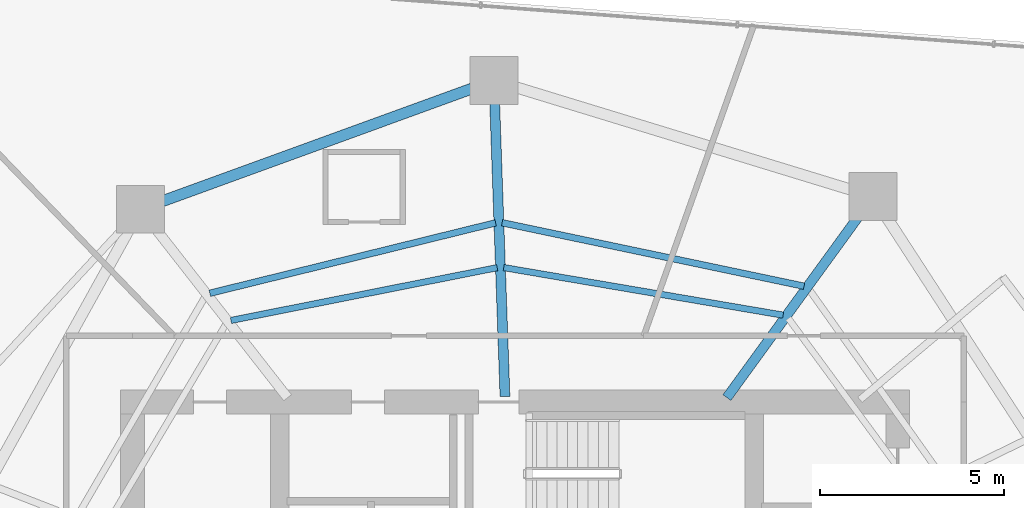
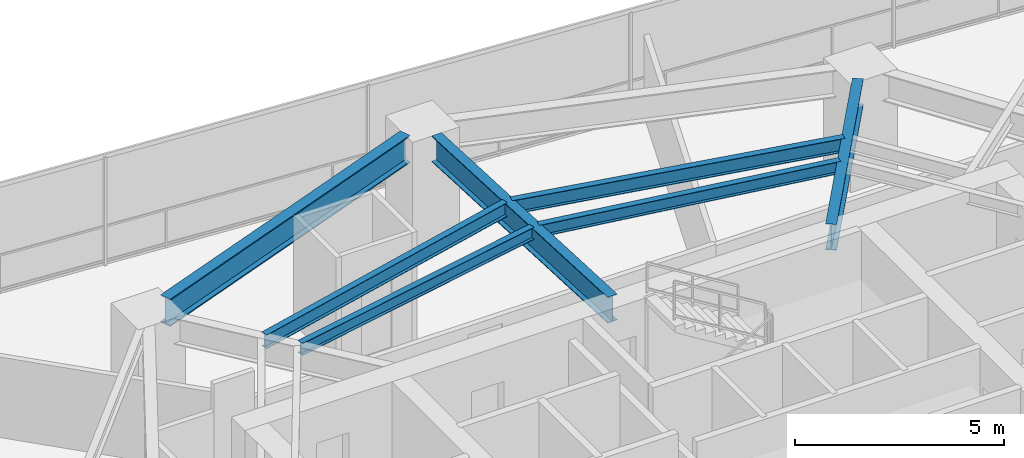
# One storey, part 19 of 30: 7 beams.
"""IFC4 building model written with IfcOpenShell, lengths in metres."""

import ifcopenshell
import ifcopenshell.guid

model = None  # the IFC model being written
_history = None  # IfcOwnerHistory: only IFC2X3 demands one
_inside = {}  # id of a spatial element -> (the spatial element, [elements in it])
_under = {}  # id of a project, library or spatial element -> (it, [spatial elements below it])
_declared = {}  # id of a project -> (the project, [libraries it declares])
_typed = {}  # id of a type object -> (the type object, [elements of that type])
_made_of = {}  # id of a material, layer set ... -> (it, [elements and type objects made of it])


def new_model(schema):
    """Start an empty IFC model of exactly this schema.

    Asked for "IFC4X3", IfcOpenShell would pick the latest addendum, in which some entities
    have other attributes; the version numbers below select the first issue.
    IFC2X3 requires an IfcOwnerHistory on every rooted entity: one is made here for all.
    """
    global model, _history
    if schema == "IFC4X3":
        model = ifcopenshell.file(schema_version=(4, 3, 0, 0))
    else:
        model = ifcopenshell.file(schema=schema)
    _inside.clear()
    _under.clear()
    _declared.clear()
    _typed.clear()
    _made_of.clear()
    _history = None
    if model.schema == "IFC2X3":
        org = make("IfcOrganization", Name="unknown")
        user = make(
            "IfcPersonAndOrganization",
            ThePerson=make("IfcPerson", FamilyName="unknown"),
            TheOrganization=org,
        )
        app = make(
            "IfcApplication",
            ApplicationDeveloper=org,
            Version="unknown",
            ApplicationFullName="unknown",
            ApplicationIdentifier="unknown",
        )
        _history = make(
            "IfcOwnerHistory",
            OwningUser=user,
            OwningApplication=app,
            ChangeAction="ADDED",
            CreationDate=0,
        )
    return model


def make(cls, **values):
    """One entity of the class cls with the attributes given. An attribute that is None is left unset."""
    return model.create_entity(
        cls, **{name: value for name, value in values.items() if value is not None}
    )


def rooted(cls, **values):
    """An entity with a GlobalId (a new one), such as an element, a storey or a relation."""
    return make(cls, GlobalId=ifcopenshell.guid.new(), OwnerHistory=_history, **values)


def si_unit(unit_type, name, prefix=None):
    """IfcSIUnit, for example si_unit("LENGTHUNIT", "METRE", prefix="MILLI")."""
    return make("IfcSIUnit", UnitType=unit_type, Prefix=prefix, Name=name)


def assignment(units):
    """IfcUnitAssignment: the units of a project."""
    return None if units is None else make("IfcUnitAssignment", Units=units)


def point(xyz):
    """IfcCartesianPoint."""
    return None if xyz is None else make("IfcCartesianPoint", Coordinates=xyz)


def direction(xyz):
    """IfcDirection."""
    return None if xyz is None else make("IfcDirection", DirectionRatios=xyz)


def frame(location, z_axis=None, x_axis=None):
    """IfcAxis2Placement3D, a coordinate frame: its origin and axes. An axis left out is left unset."""
    return make(
        "IfcAxis2Placement3D",
        Location=point(location),
        Axis=direction(z_axis),
        RefDirection=direction(x_axis),
    )


def frame_2d(location, x_axis=None):
    """IfcAxis2Placement2D, a coordinate frame in the plane: its origin and x axis."""
    return make(
        "IfcAxis2Placement2D", Location=point(location), RefDirection=direction(x_axis)
    )


def origin():
    """The frame at (0, 0, 0) with its axes left unset."""
    return frame((0.0, 0.0, 0.0))


def origin_2d():
    """The frame at (0, 0) in the plane with its x axis left unset."""
    return frame_2d((0.0, 0.0))


def place(relative_to, where):
    """IfcLocalPlacement: puts the frame where relative to a parent placement (None: the world)."""
    return make(
        "IfcLocalPlacement", PlacementRelTo=relative_to, RelativePlacement=where
    )


def context(
    kind, dimensions, precision=None, world=None, true_north=None, identifier=None
):
    """IfcGeometricRepresentationContext, for example the 3D "Model" context."""
    return make(
        "IfcGeometricRepresentationContext",
        ContextIdentifier=identifier,
        ContextType=kind,
        CoordinateSpaceDimension=dimensions,
        Precision=precision,
        WorldCoordinateSystem=world,
        TrueNorth=true_north,
    )


def subcontext(parent, identifier, kind, view, scale=None):
    """IfcGeometricRepresentationSubContext, for example "Body" below "Model"."""
    return make(
        "IfcGeometricRepresentationSubContext",
        ContextIdentifier=identifier,
        ContextType=kind,
        ParentContext=parent,
        TargetScale=scale,
        TargetView=view,
    )


def project(units=None, contexts=None):
    """IfcProject with its units and contexts."""
    return rooted(
        "IfcProject",
        Name="project",
        RepresentationContexts=contexts,
        UnitsInContext=assignment(units),
    )


def spatial(cls, under=None, at=None, **own):
    """A site, building, storey or space (cls), placed at a placement, below another one or the project."""
    s = rooted(cls, ObjectPlacement=at, **own)
    if under is not None:
        _under.setdefault(under.id(), (under, []))[1].append(s)
    return s


def profile(cls, at=None, kind="AREA", **sizes):
    """A parametric profile (cls). Its sizes go by their IFC names, for example OverallWidth=200.0."""
    return make(cls, ProfileType=kind, Position=at, **sizes)


def i_section(**sizes):
    """IfcIShapeProfileDef."""
    return profile("IfcIShapeProfileDef", **sizes)


def extrude(swept, where, along, depth):
    """IfcExtrudedAreaSolid: the profile swept, set in the frame where, extruded along a direction by depth."""
    return make(
        "IfcExtrudedAreaSolid",
        SweptArea=swept,
        Position=where,
        ExtrudedDirection=direction(along),
        Depth=depth,
    )


def shape(context_of_items, identifier, shape_type, items):
    """IfcShapeRepresentation: the items that make up one representation, for example the "Body"."""
    return make(
        "IfcShapeRepresentation",
        ContextOfItems=context_of_items,
        RepresentationIdentifier=identifier,
        RepresentationType=shape_type,
        Items=items,
    )


def material(Name=None, Category=None):
    """IfcMaterial."""
    return make("IfcMaterial", Name=Name, Category=Category)


def material_profile(
    of_material, cross_section, Name=None, Category=None, Priority=None
):
    """IfcMaterialProfile: a cross section and its material."""
    return make(
        "IfcMaterialProfile",
        Name=Name,
        Material=of_material,
        Profile=cross_section,
        Priority=Priority,
        Category=Category,
    )


def profile_set(profiles, Name=None, composite=None):
    """IfcMaterialProfileSet."""
    return make(
        "IfcMaterialProfileSet",
        Name=Name,
        MaterialProfiles=profiles,
        CompositeProfile=composite,
    )


def made_of(thing, what):
    """Note that an element or type object is made of a material, layer set ...; save() writes the relation."""
    if what is not None:
        _made_of.setdefault(what.id(), (what, []))[1].append(thing)
    return thing


def type_object(cls, material=None, **own):
    """A type object (cls), such as IfcWallType, which elements share."""
    return made_of(rooted(cls, **own), material)


def element(
    cls,
    number,
    at=None,
    inside=None,
    cuts=None,
    type_object=None,
    material=None,
    context=None,
    identifier="Body",
    shape_type=None,
    held_by="IfcProductDefinitionShape",
    body=None,
    shapes=None,
    **own,
):
    """One element of the class cls, such as IfcWall. Its Tag is "e" and its number.

    at: its placement. inside: the storey or other place that contains it. cuts: it is an
    opening in that element (IfcRelVoidsElement). A single representation is given by context,
    identifier, shape_type and body (its items); several are given by shapes. held_by: the class
    of the entity that holds the representations. save() writes the other relations.
    """
    e = rooted(cls, Tag="e%d" % number, ObjectPlacement=at, **own)
    if body is not None:
        shapes = [shape(context, identifier, shape_type, body)]
    if shapes is not None:
        e.Representation = make(held_by, Representations=shapes)
    if inside is not None:
        _inside.setdefault(inside.id(), (inside, []))[1].append(e)
    if cuts is not None:
        rooted(
            "IfcRelVoidsElement", RelatingBuildingElement=cuts, RelatedOpeningElement=e
        )
    if type_object is not None:
        _typed.setdefault(type_object.id(), (type_object, []))[1].append(e)
    return made_of(e, material)


def aggregate(whole, parts):
    """IfcRelAggregates: a whole, such as a stair, and the parts it consists of."""
    return rooted("IfcRelAggregates", RelatingObject=whole, RelatedObjects=parts)


def save(model, path):
    """Write the relations noted so far, then the file.

    IfcRelAggregates (storeys below a building ...), IfcRelContainedInSpatialStructure (elements
    in a storey), IfcRelDefinesByType, IfcRelAssociatesMaterial and IfcRelDeclares: one each for
    every whole, place, type object, material and project.
    """
    for whole, parts in _under.values():
        aggregate(whole, parts)
    for where, things in _inside.values():
        rooted(
            "IfcRelContainedInSpatialStructure",
            RelatedElements=things,
            RelatingStructure=where,
        )
    for kind, things in _typed.values():
        rooted("IfcRelDefinesByType", RelatedObjects=things, RelatingType=kind)
    for what, things in _made_of.values():
        rooted("IfcRelAssociatesMaterial", RelatedObjects=things, RelatingMaterial=what)
    for by, libraries in _declared.values():
        rooted("IfcRelDeclares", RelatingContext=by, RelatedDefinitions=libraries)
    model.write(path)


model = new_model("IFC4")

# Units and contexts
model_context = context("Model", 3, precision=1e-05, world=origin(), true_north=direction((0.0, 1.0)))
body_context = subcontext(model_context, "Body", "Model", "MODEL_VIEW")
ifc_project = project(units=[si_unit("LENGTHUNIT", "METRE"), si_unit("AREAUNIT", "SQUARE_METRE"), si_unit("VOLUMEUNIT", "CUBIC_METRE"), si_unit("PLANEANGLEUNIT", "RADIAN"), si_unit("MASSUNIT", "GRAM", prefix="KILO")], contexts=[model_context])

# Site, building, storey
site_placement = place(None, origin())
site = spatial("IfcSite", under=ifc_project, at=site_placement, CompositionType="ELEMENT")
building_placement = place(site_placement, origin())
building = spatial("IfcBuilding", under=site, at=building_placement, Name="Qarnah Convention Tower", CompositionType="ELEMENT")
storey_placement = place(building_placement, frame((0.0, 0.0, 51.14990234375)))
storey = spatial("IfcBuildingStorey", under=building, at=storey_placement, Name="L12", CompositionType="ELEMENT", Elevation=51.14990234375)

# Beams
ifc_material = material(Name="Structural steel S355JR", Category="steel")
ifc_material_profile_1 = material_profile(ifc_material, i_section(OverallWidth=0.172119140625, OverallDepth=0.35595703125, WebThickness=0.007080078125, FlangeThickness=0.011962890625, at=origin_2d()), Name="W360X51")
ifc_profile_set_1 = profile_set([ifc_material_profile_1], Name="Structural steel S355JR")
beam_type_1 = type_object("IfcBeamType", Name="BM-JST-W360", PredefinedType="JOIST", material=ifc_profile_set_1)
beam_1_placement = place(storey_placement, frame((44.48388671875, 36.56201171875, 2.9921875), z_axis=(-0.985799304286, 0.167927757295, 0.0), x_axis=(-0.167927757295, -0.985799304286, 0.0)))
element("IfcBeam", 1, at=beam_1_placement, inside=storey, type_object=beam_type_1, Name="L12 joist BM-L12-IJST-02", PredefinedType="JOIST", context=body_context, shape_type="SweptSolid", body=[
    extrude(i_section(OverallWidth=0.172119140625, OverallDepth=0.35595703125, WebThickness=0.007080078125, FlangeThickness=0.011962890625, at=origin_2d()), origin(), (0.0, 0.0, 1.0), 7.705322265625),
])
beam_2_placement = place(storey_placement, frame((36.7109375, 37.85400390625, 2.9921875), z_axis=(-0.980900097956, -0.194512204837, 0.0), x_axis=(0.194512204837, -0.980900097956, 0.0)))
element("IfcBeam", 2, at=beam_2_placement, inside=storey, type_object=beam_type_1, Name="L12 joist BM-L12-IJST-03", PredefinedType="JOIST", context=body_context, shape_type="SweptSolid", body=[
    extrude(i_section(OverallWidth=0.172119140625, OverallDepth=0.35595703125, WebThickness=0.007080078125, FlangeThickness=0.011962890625, at=origin_2d()), origin(), (0.0, 0.0, 1.0), 7.377685546875),
])
ifc_material_profile_2 = material_profile(ifc_material, i_section(OverallWidth=0.177978515625, OverallDepth=0.407958984375, WebThickness=0.008056640625, FlangeThickness=0.012939453125, at=origin_2d()), Name="W410X60")
ifc_profile_set_2 = profile_set([ifc_material_profile_2], Name="Structural steel S355JR")
beam_type_2 = type_object("IfcBeamType", Name="BM-JST-W410", PredefinedType="JOIST", material=ifc_profile_set_2)
beam_3_placement = place(storey_placement, frame((45.052978515625, 37.34912109375, 2.966064453125), z_axis=(-0.978606875393, 0.205739114982, 0.0), x_axis=(-0.205739114982, -0.978606875393, 0.0)))
element("IfcBeam", 3, at=beam_3_placement, inside=storey, type_object=beam_type_2, Name="L12 joist BM-L12-SJST-02", PredefinedType="JOIST", context=body_context, shape_type="SweptSolid", body=[
    extrude(i_section(OverallWidth=0.177978515625, OverallDepth=0.407958984375, WebThickness=0.008056640625, FlangeThickness=0.012939453125, at=origin_2d()), origin(), (0.0, 0.0, 1.0), 8.388427734375),
])
beam_4_placement = place(storey_placement, frame((36.6689453125, 39.072021484375, 2.966064453125), z_axis=(-0.970966049721, -0.239217328572, 0.0), x_axis=(0.239217328572, -0.970966049721, 0.0)))
element("IfcBeam", 4, at=beam_4_placement, inside=storey, type_object=beam_type_2, Name="L12 joist BM-L12-SJST-03", PredefinedType="JOIST", context=body_context, shape_type="SweptSolid", body=[
    extrude(i_section(OverallWidth=0.177978515625, OverallDepth=0.407958984375, WebThickness=0.008056640625, FlangeThickness=0.012939453125, at=origin_2d()), origin(), (0.0, 0.0, 1.0), 8.00146484375),
])
ifc_material_profile_3 = material_profile(ifc_material, i_section(OverallWidth=0.26806640625, OverallDepth=0.760009765625, WebThickness=0.014892578125, FlangeThickness=0.02197265625, at=origin_2d()), Name="W760X185")
ifc_profile_set_3 = profile_set([ifc_material_profile_3], Name="Structural steel S355JR")
beam_type_3 = type_object("IfcBeamType", Name="BM-RAD-W760", PredefinedType="BEAM", material=ifc_profile_set_3)
beam_5_placement = place(storey_placement, frame((42.955078125, 34.321044921875, 2.7900390625), z_axis=(0.587873224058, 0.808953071837, 0.0), x_axis=(-0.808953071837, 0.587873224058, 0.0)))
element("IfcBeam", 5, at=beam_5_placement, inside=storey, type_object=beam_type_3, Name="L12 beam BM-L12-RAD-02", PredefinedType="BEAM", context=body_context, shape_type="SweptSolid", body=[
    extrude(i_section(OverallWidth=0.26806640625, OverallDepth=0.760009765625, WebThickness=0.014892578125, FlangeThickness=0.02197265625, at=origin_2d()), origin(), (0.0, 0.0, 1.0), 6.12890625),
])
beam_6_placement = place(storey_placement, frame((36.922119140625, 34.35009765625, 2.7900390625), z_axis=(-0.034913066254, 0.999390353068, 0.0), x_axis=(-0.999390353068, -0.034913066254, 0.0)))
element("IfcBeam", 6, at=beam_6_placement, inside=storey, type_object=beam_type_3, Name="L12 beam BM-L12-RAD-03", PredefinedType="BEAM", context=body_context, shape_type="SweptSolid", body=[
    extrude(i_section(OverallWidth=0.26806640625, OverallDepth=0.760009765625, WebThickness=0.014892578125, FlangeThickness=0.02197265625, at=origin_2d()), origin(), (0.0, 0.0, 1.0), 7.96484375),
])
ifc_material_profile_4 = material_profile(ifc_material, i_section(OverallWidth=0.300048828125, OverallDepth=0.800048828125, WebThickness=0.01806640625, FlangeThickness=0.032958984375, at=origin_2d()), Name="HEB800")
ifc_profile_set_4 = profile_set([ifc_material_profile_4], Name="Structural steel S355JR")
beam_type_4 = type_object("IfcBeamType", Name="BM-RING-HEB800", PredefinedType="BEAM", material=ifc_profile_set_4)
beam_7_placement = place(storey_placement, frame((36.02099609375, 42.720947265625, 2.77001953125), z_axis=(-0.939712145037, -0.341966496121, 0.0), x_axis=(0.341966496121, -0.939712145037, 0.0)))
element("IfcBeam", 7, at=beam_7_placement, inside=storey, type_object=beam_type_4, Name="L12 beam BM-L12-SPN-03", PredefinedType="BEAM", context=body_context, shape_type="SweptSolid", body=[
    extrude(i_section(OverallWidth=0.300048828125, OverallDepth=0.800048828125, WebThickness=0.01806640625, FlangeThickness=0.032958984375, at=origin_2d()), origin(), (0.0, 0.0, 1.0), 8.948486328125),
])

save(model, "model.ifc")
